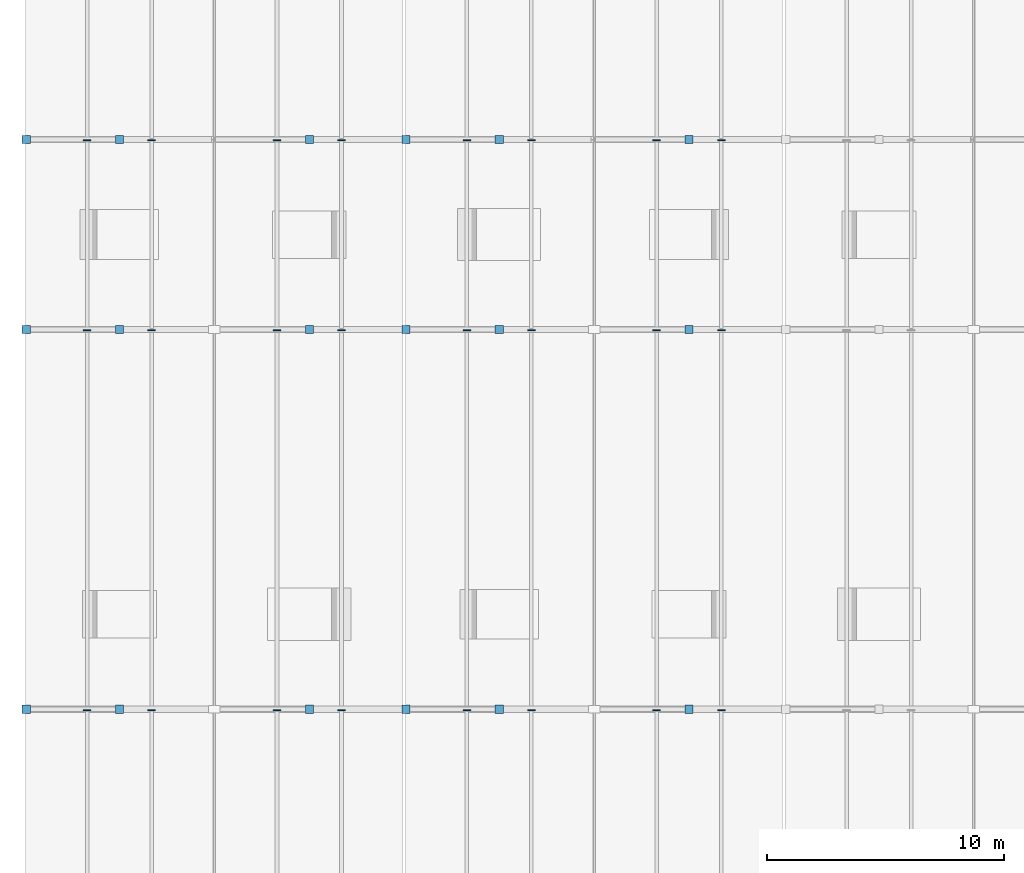
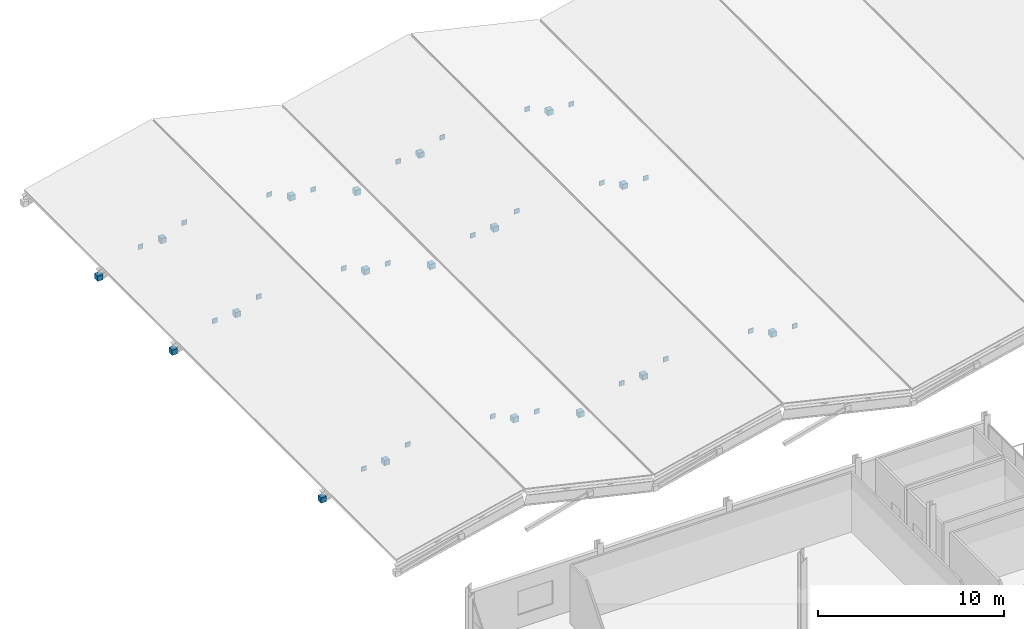
# One storey, part 53 of 67: 42 discrete accessories.
"""IFC4 building model written with IfcOpenShell, lengths in metres."""

from ifc_helpers import new_model, si_unit, direction, frame, origin, origin_2d, place, context, subcontext, project, spatial, rectangle, extrude, material, type_object, element, save


model = new_model("IFC4")

# Units and contexts
model_context = context("Model", 3, precision=1e-05, world=origin(), true_north=direction((0.0, 1.0)))
body_context = subcontext(model_context, "Body", "Model", "MODEL_VIEW")
ifc_project = project(units=[si_unit("LENGTHUNIT", "METRE"), si_unit("AREAUNIT", "SQUARE_METRE"), si_unit("VOLUMEUNIT", "CUBIC_METRE"), si_unit("PLANEANGLEUNIT", "RADIAN"), si_unit("MASSUNIT", "GRAM", prefix="KILO")], contexts=[model_context])

# Site, building, storey
site_placement = place(None, origin())
site = spatial("IfcSite", under=ifc_project, at=site_placement, CompositionType="ELEMENT")
building_placement = place(site_placement, origin())
building = spatial("IfcBuilding", under=site, at=building_placement, Name="Drelvath Fold Interchange", CompositionType="ELEMENT")
storey_placement = place(building_placement, frame((0.0, 0.0, 15.60009765625)))
storey = spatial("IfcBuildingStorey", under=building, at=storey_placement, Name="L03", CompositionType="ELEMENT", Elevation=15.60009765625)

# Discrete accessories
ifc_material = material(Name="Steel ASTM A572 Grade 50", Category="steel")
discrete_accessory_type = type_object("IfcDiscreteAccessoryType", Name="AC-CAP380", PredefinedType="BRACKET", material=ifc_material)
for number, where, z_axis, x_axis, name in (
    (1, (4.074951171875, 67.0, -0.42236328125), (0.0, 0.0, 1.0), (1.0, 0.0, 0.0), "Welded hollow member end cap 293"),
    (2, (8.0048828125, 67.0, 0.654296875), (0.0, 0.0, 1.0), (1.0, 0.0, 0.0), "Welded hollow member end cap 294"),
    (3, (4.074951171875, 83.0, -0.42236328125), (0.0, 0.0, 1.0), (1.0, 0.0, 0.0), "Welded hollow member end cap 296"),
    (4, (8.0048828125, 83.0, 0.654296875), (0.0, 0.0, 1.0), (1.0, 0.0, 0.0), "Welded hollow member end cap 297"),
    (5, (4.074951171875, 91.0, -0.42236328125), (0.0, 0.0, 1.0), (1.0, 0.0, 0.0), "Welded hollow member end cap 299"),
    (6, (8.0048828125, 91.0, 0.654296875), (0.0, 0.0, 1.0), (1.0, 0.0, 0.0), "Welded hollow member end cap 300"),
):
    element("IfcDiscreteAccessory", number, at=place(storey_placement, frame(where, z_axis=z_axis, x_axis=x_axis)), inside=storey, type_object=discrete_accessory_type, Name=name, PredefinedType="BRACKET", context=body_context, shape_type="SweptSolid", body=[
        extrude(rectangle(XDim=0.343017578125, YDim=0.343017578125, at=origin_2d()), origin(), (0.0, 0.0, 1.0), 0.343017578125),
    ])
for number, where, z_axis, x_axis, name in (
    (7, (6.639892578125, 66.965087890625, 0.6708984375), (0.0, 0.0, 1.0), (1.0, 0.0, 0.0), "Welded hollow member end cap 305"),
    (8, (6.639892578125, 82.965087890625, 0.6708984375), (0.0, 0.0, 1.0), (1.0, 0.0, 0.0), "Welded hollow member end cap 306"),
    (9, (6.639892578125, 90.965087890625, 0.6708984375), (0.0, 0.0, 1.0), (1.0, 0.0, 0.0), "Welded hollow member end cap 307"),
    (10, (9.360107421875, 66.965087890625, 1.2998046875), (0.0, 0.0, 1.0), (1.0, 0.0, 0.0), "Welded hollow member end cap 310"),
    (11, (9.360107421875, 82.965087890625, 1.2998046875), (0.0, 0.0, 1.0), (1.0, 0.0, 0.0), "Welded hollow member end cap 311"),
    (12, (9.360107421875, 90.965087890625, 1.2998046875), (0.0, 0.0, 1.0), (1.0, 0.0, 0.0), "Welded hollow member end cap 312"),
):
    element("IfcDiscreteAccessory", number, at=place(storey_placement, frame(where, z_axis=z_axis, x_axis=x_axis)), inside=storey, type_object=discrete_accessory_type, Name=name, PredefinedType="BRACKET", context=body_context, shape_type="SweptSolid", body=[
        extrude(rectangle(XDim=0.31396484375, YDim=0.0400390625, at=origin_2d()), origin(), (0.0, 0.0, 1.0), 0.31396484375),
    ])
for number, where, z_axis, x_axis, name in (
    (13, (16.0048828125, 67.0, 0.654296875), (0.0, 0.0, 1.0), (1.0, 0.0, 0.0), "Welded hollow member end cap 317"),
    (14, (16.0048828125, 83.0, 0.654296875), (0.0, 0.0, 1.0), (1.0, 0.0, 0.0), "Welded hollow member end cap 319"),
    (15, (16.0048828125, 91.0, 0.654296875), (0.0, 0.0, 1.0), (1.0, 0.0, 0.0), "Welded hollow member end cap 321"),
):
    element("IfcDiscreteAccessory", number, at=place(storey_placement, frame(where, z_axis=z_axis, x_axis=x_axis)), inside=storey, type_object=discrete_accessory_type, Name=name, PredefinedType="BRACKET", context=body_context, shape_type="SweptSolid", body=[
        extrude(rectangle(XDim=0.343017578125, YDim=0.343017578125, at=origin_2d()), origin(), (0.0, 0.0, 1.0), 0.343017578125),
    ])
for number, where, z_axis, x_axis, name in (
    (16, (14.639892578125, 66.965087890625, 1.2998046875), (0.0, 0.0, 1.0), (1.0, 0.0, 0.0), "Welded hollow member end cap 325"),
    (17, (14.639892578125, 82.965087890625, 1.2998046875), (0.0, 0.0, 1.0), (1.0, 0.0, 0.0), "Welded hollow member end cap 326"),
    (18, (14.639892578125, 90.965087890625, 1.2998046875), (0.0, 0.0, 1.0), (1.0, 0.0, 0.0), "Welded hollow member end cap 327"),
    (19, (17.360107421875, 66.965087890625, 0.6708984375), (0.0, 0.0, 1.0), (1.0, 0.0, 0.0), "Welded hollow member end cap 330"),
    (20, (17.360107421875, 82.965087890625, 0.6708984375), (0.0, 0.0, 1.0), (1.0, 0.0, 0.0), "Welded hollow member end cap 331"),
    (21, (17.360107421875, 90.965087890625, 0.6708984375), (0.0, 0.0, 1.0), (1.0, 0.0, 0.0), "Welded hollow member end cap 332"),
):
    element("IfcDiscreteAccessory", number, at=place(storey_placement, frame(where, z_axis=z_axis, x_axis=x_axis)), inside=storey, type_object=discrete_accessory_type, Name=name, PredefinedType="BRACKET", context=body_context, shape_type="SweptSolid", body=[
        extrude(rectangle(XDim=0.31396484375, YDim=0.0400390625, at=origin_2d()), origin(), (0.0, 0.0, 1.0), 0.31396484375),
    ])
for number, where, z_axis, x_axis, name in (
    (22, (20.074951171875, 67.0, -0.42236328125), (0.0, 0.0, 1.0), (1.0, 0.0, 0.0), "Welded hollow member end cap 338"),
    (23, (24.0048828125, 67.0, 0.654296875), (0.0, 0.0, 1.0), (1.0, 0.0, 0.0), "Welded hollow member end cap 339"),
    (24, (20.074951171875, 83.0, -0.42236328125), (0.0, 0.0, 1.0), (1.0, 0.0, 0.0), "Welded hollow member end cap 341"),
    (25, (24.0048828125, 83.0, 0.654296875), (0.0, 0.0, 1.0), (1.0, 0.0, 0.0), "Welded hollow member end cap 342"),
    (26, (20.074951171875, 91.0, -0.42236328125), (0.0, 0.0, 1.0), (1.0, 0.0, 0.0), "Welded hollow member end cap 344"),
    (27, (24.0048828125, 91.0, 0.654296875), (0.0, 0.0, 1.0), (1.0, 0.0, 0.0), "Welded hollow member end cap 345"),
):
    element("IfcDiscreteAccessory", number, at=place(storey_placement, frame(where, z_axis=z_axis, x_axis=x_axis)), inside=storey, type_object=discrete_accessory_type, Name=name, PredefinedType="BRACKET", context=body_context, shape_type="SweptSolid", body=[
        extrude(rectangle(XDim=0.343017578125, YDim=0.343017578125, at=origin_2d()), origin(), (0.0, 0.0, 1.0), 0.343017578125),
    ])
for number, where, z_axis, x_axis, name in (
    (28, (22.639892578125, 66.965087890625, 0.6708984375), (0.0, 0.0, 1.0), (1.0, 0.0, 0.0), "Welded hollow member end cap 350"),
    (29, (22.639892578125, 82.965087890625, 0.6708984375), (0.0, 0.0, 1.0), (1.0, 0.0, 0.0), "Welded hollow member end cap 351"),
    (30, (22.639892578125, 90.965087890625, 0.6708984375), (0.0, 0.0, 1.0), (1.0, 0.0, 0.0), "Welded hollow member end cap 352"),
    (31, (25.360107421875, 66.965087890625, 1.2998046875), (0.0, 0.0, 1.0), (1.0, 0.0, 0.0), "Welded hollow member end cap 355"),
    (32, (25.360107421875, 82.965087890625, 1.2998046875), (0.0, 0.0, 1.0), (1.0, 0.0, 0.0), "Welded hollow member end cap 356"),
    (33, (25.360107421875, 90.965087890625, 1.2998046875), (0.0, 0.0, 1.0), (1.0, 0.0, 0.0), "Welded hollow member end cap 357"),
):
    element("IfcDiscreteAccessory", number, at=place(storey_placement, frame(where, z_axis=z_axis, x_axis=x_axis)), inside=storey, type_object=discrete_accessory_type, Name=name, PredefinedType="BRACKET", context=body_context, shape_type="SweptSolid", body=[
        extrude(rectangle(XDim=0.31396484375, YDim=0.0400390625, at=origin_2d()), origin(), (0.0, 0.0, 1.0), 0.31396484375),
    ])
for number, where, z_axis, x_axis, name in (
    (34, (32.0048828125, 67.0, 0.654296875), (0.0, 0.0, 1.0), (1.0, 0.0, 0.0), "Welded hollow member end cap 362"),
    (35, (32.0048828125, 83.0, 0.654296875), (0.0, 0.0, 1.0), (1.0, 0.0, 0.0), "Welded hollow member end cap 364"),
    (36, (32.0048828125, 91.0, 0.654296875), (0.0, 0.0, 1.0), (1.0, 0.0, 0.0), "Welded hollow member end cap 366"),
):
    element("IfcDiscreteAccessory", number, at=place(storey_placement, frame(where, z_axis=z_axis, x_axis=x_axis)), inside=storey, type_object=discrete_accessory_type, Name=name, PredefinedType="BRACKET", context=body_context, shape_type="SweptSolid", body=[
        extrude(rectangle(XDim=0.343017578125, YDim=0.343017578125, at=origin_2d()), origin(), (0.0, 0.0, 1.0), 0.343017578125),
    ])
for number, where, z_axis, x_axis, name in (
    (37, (30.639892578125, 66.965087890625, 1.2998046875), (0.0, 0.0, 1.0), (1.0, 0.0, 0.0), "Welded hollow member end cap 370"),
    (38, (30.639892578125, 82.965087890625, 1.2998046875), (0.0, 0.0, 1.0), (1.0, 0.0, 0.0), "Welded hollow member end cap 371"),
    (39, (30.639892578125, 90.965087890625, 1.2998046875), (0.0, 0.0, 1.0), (1.0, 0.0, 0.0), "Welded hollow member end cap 372"),
    (40, (33.360107421875, 66.965087890625, 0.6708984375), (0.0, 0.0, 1.0), (1.0, 0.0, 0.0), "Welded hollow member end cap 375"),
    (41, (33.360107421875, 82.965087890625, 0.6708984375), (0.0, 0.0, 1.0), (1.0, 0.0, 0.0), "Welded hollow member end cap 376"),
    (42, (33.360107421875, 90.965087890625, 0.6708984375), (0.0, 0.0, 1.0), (1.0, 0.0, 0.0), "Welded hollow member end cap 377"),
):
    element("IfcDiscreteAccessory", number, at=place(storey_placement, frame(where, z_axis=z_axis, x_axis=x_axis)), inside=storey, type_object=discrete_accessory_type, Name=name, PredefinedType="BRACKET", context=body_context, shape_type="SweptSolid", body=[
        extrude(rectangle(XDim=0.31396484375, YDim=0.0400390625, at=origin_2d()), origin(), (0.0, 0.0, 1.0), 0.31396484375),
    ])

save(model, "model.ifc")
